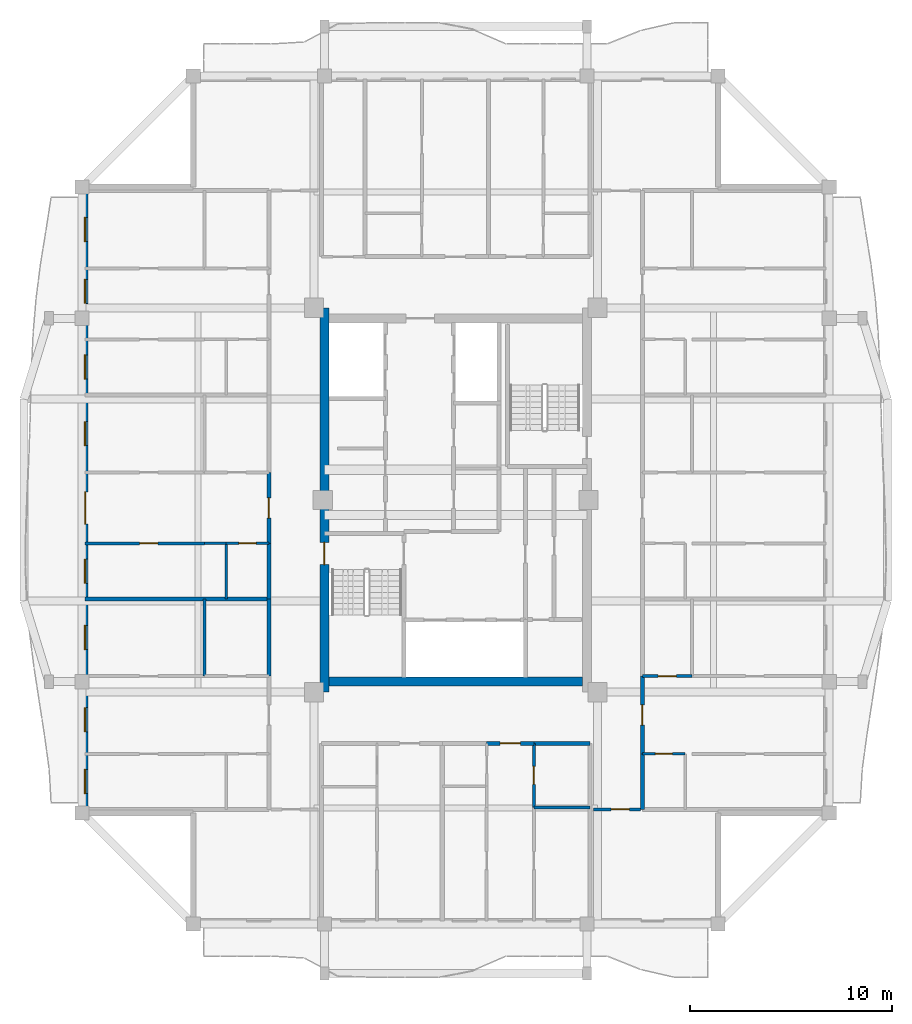
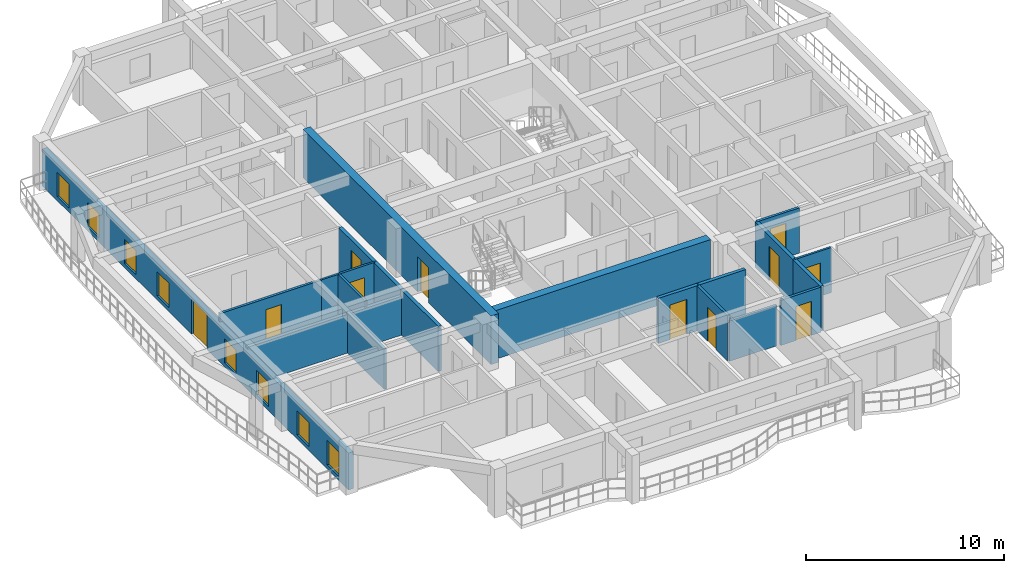
# One storey, part 3 of 14: 21 walls, 11 doors, 8 windows, 19 openings.
"""IFC4 building model written with IfcOpenShell, lengths in metres."""

from ifc_helpers import new_model, si_unit, direction, frame, frame_2d, origin, place, context, subcontext, project, spatial, rectangle, extrude, source, transform, mapped, material, layer, layer_set, type_object, element, fill, save


model = new_model("IFC4")

# Units and contexts
model_context = context("Model", 3, precision=1e-05, world=origin(), true_north=direction((0.0, 1.0)))
body_context = subcontext(model_context, "Body", "Model", "MODEL_VIEW")
ifc_project = project(units=[si_unit("LENGTHUNIT", "METRE"), si_unit("AREAUNIT", "SQUARE_METRE"), si_unit("VOLUMEUNIT", "CUBIC_METRE"), si_unit("PLANEANGLEUNIT", "RADIAN"), si_unit("MASSUNIT", "GRAM", prefix="KILO")], contexts=[model_context])

# Site, building, storey
site_placement = place(None, origin())
site = spatial("IfcSite", under=ifc_project, at=site_placement, CompositionType="ELEMENT")
building_placement = place(site_placement, origin())
building = spatial("IfcBuilding", under=site, at=building_placement, Name="Saelheon Loggia Tower", CompositionType="ELEMENT")
storey_placement = place(building_placement, frame((0.0, 0.0, 210.300048828125)))
storey = spatial("IfcBuildingStorey", under=building, at=storey_placement, Name="L65", CompositionType="ELEMENT", Elevation=210.300048828125)

# Wall, opening, door
ifc_material_1 = material(Name="Concrete C45/55", Category="concrete")
ifc_layer_1 = layer(ifc_material_1, 0.449951171875)
ifc_layer_set_1 = layer_set([ifc_layer_1], Name="Concrete C45/55")
wall_type_1 = type_object("IfcWallType", Name="Wall_CoreShear_450", PredefinedType="SHEAR", material=ifc_layer_set_1)
wall_1_placement = place(storey_placement, frame((31.5, 17.47998046875, 0.0), z_axis=(0.0, 0.0, 1.0), x_axis=(0.0, 1.0, 0.0)))
wall_1 = element("IfcWall", 1, at=wall_1_placement, inside=storey, type_object=wall_type_1, Name="L65 Core Shear Wall West", PredefinedType="SHEAR", context=body_context, shape_type="SweptSolid", body=[
    extrude(rectangle(XDim=19.0400390625, YDim=0.449951171875, at=frame_2d((9.52001953125, 0.0))), origin(), (0.0, 0.0, 1.0), 3.0),
])
opening_1_placement = place(wall_1_placement, frame((6.320068359375, 0.0, 0.0)))
opening_1 = element("IfcOpeningElement", 2, at=opening_1_placement, cuts=wall_1, Name="Opening D-FD2", PredefinedType="OPENING", context=body_context, shape_type="SweptSolid", body=[
    extrude(rectangle(XDim=1.10009765625, YDim=2.14990234375, at=frame_2d((0.550048828125, 1.074951171875))), frame((0.0, 0.237060546875, 0.0), z_axis=(0.0, -1.0, 0.0), x_axis=(1.0, 0.0, 0.0)), (0.0, 0.0, 1.0), 0.473876953125),
])
ifc_material_2 = material(Name="Galvanised Steel Fire Door", Category="steel")
door_type_1 = type_object("IfcDoorType", Name="Door_Fire_FD60_1100", OperationType="NOTDEFINED", PredefinedType="DOOR", material=ifc_material_2)
shared_shape_1 = source(origin(), body_context, "Body", "SweptSolid", [
    extrude(rectangle(XDim=1.10009765625, YDim=2.14990234375, at=frame_2d((0.550048828125, 1.074951171875))), frame((0.0, 0.02490234375, 0.0), z_axis=(0.0, -1.0, 0.0), x_axis=(1.0, 0.0, 0.0)), (0.0, 0.0, 1.0), 0.050048828125),
])
door_1_placement = place(opening_1_placement, origin())
door_1 = element("IfcDoor", 3, at=door_1_placement, inside=storey, type_object=door_type_1, Name="L65 Stair ST1 Corridor Door", OperationType="SINGLE_SWING_LEFT", OverallHeight=2.14990234375, OverallWidth=1.10009765625, PredefinedType="DOOR", context=body_context, shape_type="MappedRepresentation", body=[
    mapped(shared_shape_1, transform((0.0, 0.0, 0.0), scale=1.0)),
])
fill(opening_1, door_1)

# Wall
wall_2_placement = place(storey_placement, frame((31.72509765625, 18.0, 0.0), z_axis=(0.0, 0.0, 1.0), x_axis=(1.0, 0.0, 0.0)))
element("IfcWall", 4, at=wall_2_placement, inside=storey, type_object=wall_type_1, Name="L65 Core Shear Wall South", PredefinedType="SHEAR", context=body_context, shape_type="SweptSolid", body=[
    extrude(rectangle(XDim=12.5498046875, YDim=0.449951171875, at=frame_2d((6.27490234375, 0.0))), origin(), (0.0, 0.0, 1.0), 3.0),
])

# Wall, openings, windows, door
ifc_material_3 = material(Name="Architectural Precast Concrete C40/50", Category="concrete")
ifc_layer_2 = layer(ifc_material_3, 0.280029296875)
ifc_layer_set_2 = layer_set([ifc_layer_2], Name="Architectural Precast Concrete C40/50")
wall_type_2 = type_object("IfcWallType", Name="Wall_Ext_Loggia_280", PredefinedType="SOLIDWALL", material=ifc_layer_set_2)
wall_3_placement = place(storey_placement, frame((19.639892578125, 11.5, 0.0), z_axis=(0.0, 0.0, 1.0), x_axis=(0.0, 1.0, 0.0)))
wall_3 = element("IfcWall", 5, at=wall_3_placement, inside=storey, type_object=wall_type_2, Name="L65 West Loggia Inner Wall", PredefinedType="SOLIDWALL", context=body_context, shape_type="SweptSolid", body=[
    extrude(rectangle(XDim=31.0, YDim=0.280029296875, at=frame_2d((15.5, 0.0))), origin(), (0.0, 0.0, 1.0), 2.280029296875),
])
opening_2_placement = place(wall_3_placement, frame((0.9599609375, 0.0, 0.25)))
opening_2 = element("IfcOpeningElement", 6, at=opening_2_placement, cuts=wall_3, Name="Opening WN-03", PredefinedType="OPENING", context=body_context, shape_type="SweptSolid", body=[
    extrude(rectangle(XDim=1.199951171875, YDim=1.5, at=frame_2d((0.60009765625, 0.75))), frame((0.0, 0.152099609375, 0.0), z_axis=(0.0, -1.0, 0.0), x_axis=(1.0, 0.0, 0.0)), (0.0, 0.0, 1.0), 0.303955078125),
])
opening_3_placement = place(wall_3_placement, frame((4.02001953125, 0.0, 0.25)))
opening_3 = element("IfcOpeningElement", 7, at=opening_3_placement, cuts=wall_3, Name="Opening WN-03", PredefinedType="OPENING", context=body_context, shape_type="SweptSolid", body=[
    extrude(rectangle(XDim=1.199951171875, YDim=1.5, at=frame_2d((0.60009765625, 0.75))), frame((0.0, 0.152099609375, 0.0), z_axis=(0.0, -1.0, 0.0), x_axis=(1.0, 0.0, 0.0)), (0.0, 0.0, 1.0), 0.303955078125),
])
opening_4_placement = place(wall_3_placement, frame((8.0888671875, 0.0, 0.25)))
opening_4 = element("IfcOpeningElement", 8, at=opening_4_placement, cuts=wall_3, Name="Opening WN-03", PredefinedType="OPENING", context=body_context, shape_type="SweptSolid", body=[
    extrude(rectangle(XDim=1.199951171875, YDim=1.5, at=frame_2d((0.60009765625, 0.75))), frame((0.0, 0.152099609375, 0.0), z_axis=(0.0, -1.0, 0.0), x_axis=(1.0, 0.0, 0.0)), (0.0, 0.0, 1.0), 0.303955078125),
])
opening_5_placement = place(wall_3_placement, frame((11.37255859375, 0.0, 0.25)))
opening_5 = element("IfcOpeningElement", 9, at=opening_5_placement, cuts=wall_3, Name="Opening WN-03", PredefinedType="OPENING", context=body_context, shape_type="SweptSolid", body=[
    extrude(rectangle(XDim=1.199951171875, YDim=1.5, at=frame_2d((0.60009765625, 0.75))), frame((0.0, 0.152099609375, 0.0), z_axis=(0.0, -1.0, 0.0), x_axis=(1.0, 0.0, 0.0)), (0.0, 0.0, 1.0), 0.303955078125),
])
opening_6_placement = place(wall_3_placement, frame((14.306884765625, 0.0, 0.0)))
opening_6 = element("IfcOpeningElement", 10, at=opening_6_placement, cuts=wall_3, Name="Opening DLG-1", PredefinedType="OPENING", context=body_context, shape_type="SweptSolid", body=[
    extrude(rectangle(XDim=1.60009765625, YDim=2.14990234375, at=frame_2d((0.800048828125, 1.074951171875))), frame((0.0, 0.152099609375, 0.0), z_axis=(0.0, -1.0, 0.0), x_axis=(1.0, 0.0, 0.0)), (0.0, 0.0, 1.0), 0.303955078125),
])
opening_7_placement = place(wall_3_placement, frame((18.1875, 0.0, 0.25)))
opening_7 = element("IfcOpeningElement", 11, at=opening_7_placement, cuts=wall_3, Name="Opening WN-03", PredefinedType="OPENING", context=body_context, shape_type="SweptSolid", body=[
    extrude(rectangle(XDim=1.199951171875, YDim=1.5, at=frame_2d((0.60009765625, 0.75))), frame((0.0, 0.152099609375, 0.0), z_axis=(0.0, -1.0, 0.0), x_axis=(1.0, 0.0, 0.0)), (0.0, 0.0, 1.0), 0.303955078125),
])
opening_8_placement = place(wall_3_placement, frame((21.48388671875, 0.0, 0.25)))
opening_8 = element("IfcOpeningElement", 12, at=opening_8_placement, cuts=wall_3, Name="Opening WN-03", PredefinedType="OPENING", context=body_context, shape_type="SweptSolid", body=[
    extrude(rectangle(XDim=1.199951171875, YDim=1.5, at=frame_2d((0.60009765625, 0.75))), frame((0.0, 0.152099609375, 0.0), z_axis=(0.0, -1.0, 0.0), x_axis=(1.0, 0.0, 0.0)), (0.0, 0.0, 1.0), 0.303955078125),
])
opening_9_placement = place(wall_3_placement, frame((25.23388671875, 0.0, 0.25)))
opening_9 = element("IfcOpeningElement", 13, at=opening_9_placement, cuts=wall_3, Name="Opening WN-03", PredefinedType="OPENING", context=body_context, shape_type="SweptSolid", body=[
    extrude(rectangle(XDim=1.199951171875, YDim=1.5, at=frame_2d((0.60009765625, 0.75))), frame((0.0, 0.152099609375, 0.0), z_axis=(0.0, -1.0, 0.0), x_axis=(1.0, 0.0, 0.0)), (0.0, 0.0, 1.0), 0.303955078125),
])
opening_10_placement = place(wall_3_placement, frame((28.293701171875, 0.0, 0.25)))
opening_10 = element("IfcOpeningElement", 14, at=opening_10_placement, cuts=wall_3, Name="Opening WN-03", PredefinedType="OPENING", context=body_context, shape_type="SweptSolid", body=[
    extrude(rectangle(XDim=1.199951171875, YDim=1.5, at=frame_2d((0.60009765625, 0.75))), frame((0.0, 0.152099609375, 0.0), z_axis=(0.0, -1.0, 0.0), x_axis=(1.0, 0.0, 0.0)), (0.0, 0.0, 1.0), 0.303955078125),
])
ifc_material_4 = material(Name="Thermal-Break Aluminium and Triple Low-E Glass", Category="aluminium")
window_type = type_object("IfcWindowType", Name="Win_Bedroom_1200x1500", PartitioningType="SINGLE_PANEL", PredefinedType="WINDOW", material=ifc_material_4)
shared_shape_2 = source(origin(), body_context, "Body", "SweptSolid", [
    extrude(rectangle(XDim=1.199951171875, YDim=1.5, at=frame_2d((0.60009765625, 0.75))), frame((0.0, 0.030029296875, 0.0), z_axis=(0.0, -1.0, 0.0), x_axis=(1.0, 0.0, 0.0)), (0.0, 0.0, 1.0), 0.06005859375),
])
window_1_placement = place(opening_2_placement, origin())
window_1 = element("IfcWindow", 15, at=window_1_placement, inside=storey, type_object=window_type, Name="L65 W Dwelling Window 1", OverallHeight=1.5, OverallWidth=1.199951171875, PartitioningType="SINGLE_PANEL", PredefinedType="WINDOW", context=body_context, shape_type="MappedRepresentation", body=[
    mapped(shared_shape_2, transform((0.0, 0.0, 0.0), scale=1.0)),
])
fill(opening_2, window_1)
window_2_placement = place(opening_3_placement, origin())
window_2 = element("IfcWindow", 16, at=window_2_placement, inside=storey, type_object=window_type, Name="L65 W Dwelling Window 2", OverallHeight=1.5, OverallWidth=1.199951171875, PartitioningType="SINGLE_PANEL", PredefinedType="WINDOW", context=body_context, shape_type="MappedRepresentation", body=[
    mapped(shared_shape_2, transform((0.0, 0.0, 0.0), scale=1.0)),
])
fill(opening_3, window_2)
window_3_placement = place(opening_4_placement, origin())
window_3 = element("IfcWindow", 17, at=window_3_placement, inside=storey, type_object=window_type, Name="L65 W Dwelling Window 3", OverallHeight=1.5, OverallWidth=1.199951171875, PartitioningType="SINGLE_PANEL", PredefinedType="WINDOW", context=body_context, shape_type="MappedRepresentation", body=[
    mapped(shared_shape_2, transform((0.0, 0.0, 0.0), scale=1.0)),
])
fill(opening_4, window_3)
window_4_placement = place(opening_5_placement, origin())
window_4 = element("IfcWindow", 18, at=window_4_placement, inside=storey, type_object=window_type, Name="L65 W Dwelling Window 4", OverallHeight=1.5, OverallWidth=1.199951171875, PartitioningType="SINGLE_PANEL", PredefinedType="WINDOW", context=body_context, shape_type="MappedRepresentation", body=[
    mapped(shared_shape_2, transform((0.0, 0.0, 0.0), scale=1.0)),
])
fill(opening_5, window_4)
window_5_placement = place(opening_7_placement, origin())
window_5 = element("IfcWindow", 19, at=window_5_placement, inside=storey, type_object=window_type, Name="L65 W Dwelling Window 6", OverallHeight=1.5, OverallWidth=1.199951171875, PartitioningType="SINGLE_PANEL", PredefinedType="WINDOW", context=body_context, shape_type="MappedRepresentation", body=[
    mapped(shared_shape_2, transform((0.0, 0.0, 0.0), scale=1.0)),
])
fill(opening_7, window_5)
window_6_placement = place(opening_8_placement, origin())
window_6 = element("IfcWindow", 20, at=window_6_placement, inside=storey, type_object=window_type, Name="L65 W Dwelling Window 7", OverallHeight=1.5, OverallWidth=1.199951171875, PartitioningType="SINGLE_PANEL", PredefinedType="WINDOW", context=body_context, shape_type="MappedRepresentation", body=[
    mapped(shared_shape_2, transform((0.0, 0.0, 0.0), scale=1.0)),
])
fill(opening_8, window_6)
window_7_placement = place(opening_9_placement, origin())
window_7 = element("IfcWindow", 21, at=window_7_placement, inside=storey, type_object=window_type, Name="L65 W Dwelling Window 8", OverallHeight=1.5, OverallWidth=1.199951171875, PartitioningType="SINGLE_PANEL", PredefinedType="WINDOW", context=body_context, shape_type="MappedRepresentation", body=[
    mapped(shared_shape_2, transform((0.0, 0.0, 0.0), scale=1.0)),
])
fill(opening_9, window_7)
window_8_placement = place(opening_10_placement, origin())
window_8 = element("IfcWindow", 22, at=window_8_placement, inside=storey, type_object=window_type, Name="L65 W Dwelling Window 9", OverallHeight=1.5, OverallWidth=1.199951171875, PartitioningType="SINGLE_PANEL", PredefinedType="WINDOW", context=body_context, shape_type="MappedRepresentation", body=[
    mapped(shared_shape_2, transform((0.0, 0.0, 0.0), scale=1.0)),
])
fill(opening_10, window_8)
ifc_material_5 = material(Name="Thermal-Break Aluminium Sliding Glazed Door", Category="aluminium")
door_type_2 = type_object("IfcDoorType", Name="Door_LoggiaSlide_1600", OperationType="SLIDING_TO_LEFT", PredefinedType="DOOR", material=ifc_material_5)
shared_shape_3 = source(origin(), body_context, "Body", "SweptSolid", [
    extrude(rectangle(XDim=1.60009765625, YDim=2.14990234375, at=frame_2d((0.800048828125, 1.074951171875))), frame((0.0, 0.02490234375, 0.0), z_axis=(0.0, -1.0, 0.0), x_axis=(1.0, 0.0, 0.0)), (0.0, 0.0, 1.0), 0.050048828125),
])
door_2_placement = place(opening_6_placement, origin())
door_2 = element("IfcDoor", 23, at=door_2_placement, inside=storey, type_object=door_type_2, Name="L65 W Loggia Access Door", OperationType="SLIDING_TO_LEFT", OverallHeight=2.14990234375, OverallWidth=1.60009765625, PredefinedType="DOOR", context=body_context, shape_type="MappedRepresentation", body=[
    mapped(shared_shape_3, transform((0.0, 0.0, 0.0), scale=1.0)),
])
fill(opening_6, door_2)

# Wall, opening, door
ifc_material_6 = material(Name="Lightweight Autoclaved Aerated Concrete Block and Acoustic Gypsum", Category="concrete")
ifc_layer_3 = layer(ifc_material_6, 0.14990234375)
ifc_layer_set_3 = layer_set([ifc_layer_3], Name="Lightweight Autoclaved Aerated Concrete Block and Acoustic Gypsum")
wall_type_3 = type_object("IfcWallType", Name="Wall_Part_150", PredefinedType="PARTITIONING", material=ifc_layer_set_3)
wall_4_placement = place(storey_placement, frame((44.820068359375, 11.679931640625, 0.0), z_axis=(0.0, 0.0, 1.0), x_axis=(1.0, 0.0, 0.0)))
wall_4 = element("IfcWall", 24, at=wall_4_placement, inside=storey, type_object=wall_type_3, Name="PW-L65-CSE-H", PredefinedType="PARTITIONING", context=body_context, shape_type="SweptSolid", body=[
    extrude(rectangle(XDim=2.329833984375, YDim=0.14990234375, at=frame_2d((1.1650390625, 0.0))), origin(), (0.0, 0.0, 1.0), 2.7900390625),
])
opening_11_placement = place(wall_4_placement, frame((0.8798828125, 0.0, 0.0)))
opening_11 = element("IfcOpeningElement", 25, at=opening_11_placement, cuts=wall_4, Name="Opening D-IN2", PredefinedType="OPENING", context=body_context, shape_type="SweptSolid", body=[
    extrude(rectangle(XDim=0.89990234375, YDim=2.10009765625, at=frame_2d((0.449951171875, 1.050048828125))), frame((0.0, 0.0869140625, 0.0), z_axis=(0.0, -1.0, 0.0), x_axis=(1.0, 0.0, 0.0)), (0.0, 0.0, 1.0), 0.173828125),
])
ifc_material_7 = material(Name="Engineered Oak Flush Door", Category="timber")
door_type_3 = type_object("IfcDoorType", Name="Door_Int_900", OperationType="NOTDEFINED", PredefinedType="DOOR", material=ifc_material_7)
shared_shape_4 = source(origin(), body_context, "Body", "SweptSolid", [
    extrude(rectangle(XDim=0.89990234375, YDim=2.10009765625, at=frame_2d((0.449951171875, 1.050048828125))), frame((0.0, 0.02490234375, 0.0), z_axis=(0.0, -1.0, 0.0), x_axis=(1.0, 0.0, 0.0)), (0.0, 0.0, 1.0), 0.050048828125),
])
door_3_placement = place(opening_11_placement, origin())
door_3 = element("IfcDoor", 26, at=door_3_placement, inside=storey, type_object=door_type_3, Name="L65 Corner Reading Room SE Door", OperationType="SINGLE_SWING_RIGHT", OverallHeight=2.10009765625, OverallWidth=0.89990234375, PredefinedType="DOOR", context=body_context, shape_type="MappedRepresentation", body=[
    mapped(shared_shape_4, transform((0.0, 0.0, 0.0), scale=1.0)),
])
fill(opening_11, door_3)

# Wall
wall_5_placement = place(storey_placement, frame((41.870361328125, 11.77001953125, 0.0), z_axis=(0.0, 0.0, 1.0), x_axis=(1.0, 0.0, 0.0)))
element("IfcWall", 27, at=wall_5_placement, inside=storey, type_object=wall_type_3, Name="L65 S Partition V14", PredefinedType="PARTITIONING", context=body_context, shape_type="SweptSolid", body=[
    extrude(rectangle(XDim=2.779541015625, YDim=0.14990234375, at=frame_2d((1.3896484375, 0.0))), origin(), (0.0, 0.0, 1.0), 2.489990234375),
])

# Wall, opening, door
wall_6_placement = place(storey_placement, frame((41.870361328125, 14.949951171875, 0.0), z_axis=(0.0, 0.0, 1.0), x_axis=(0.0, -1.0, 0.0)))
wall_6 = element("IfcWall", 28, at=wall_6_placement, inside=storey, type_object=wall_type_3, Name="L65 S Partition U18", PredefinedType="PARTITIONING", context=body_context, shape_type="SweptSolid", body=[
    extrude(rectangle(XDim=3.179931640625, YDim=0.14990234375, at=frame_2d((1.58984375, 0.0))), origin(), (0.0, 0.0, 1.0), 2.7900390625),
])
opening_12_placement = place(wall_6_placement, frame((1.139892578125, 0.0, 0.0)))
opening_12 = element("IfcOpeningElement", 29, at=opening_12_placement, cuts=wall_6, Name="Opening D-IN2", PredefinedType="OPENING", context=body_context, shape_type="SweptSolid", body=[
    extrude(rectangle(XDim=0.89990234375, YDim=2.10009765625, at=frame_2d((0.449951171875, 1.050048828125))), frame((0.0, 0.0869140625, 0.0), z_axis=(0.0, -1.0, 0.0), x_axis=(1.0, 0.0, 0.0)), (0.0, 0.0, 1.0), 0.173828125),
])
door_4_placement = place(opening_12_placement, origin())
door_4 = element("IfcDoor", 30, at=door_4_placement, inside=storey, type_object=door_type_3, Name="Unit U02 Dressing Closet Door", OperationType="SINGLE_SWING_RIGHT", OverallHeight=2.10009765625, OverallWidth=0.89990234375, PredefinedType="DOOR", context=body_context, shape_type="MappedRepresentation", body=[
    mapped(shared_shape_4, transform((0.0, 0.0, 0.0), scale=1.0)),
])
fill(opening_12, door_4)

# Wall
wall_7_placement = place(storey_placement, frame((25.570068359375, 18.280029296875, 0.0), z_axis=(0.0, 0.0, 1.0), x_axis=(0.0, 1.0, 0.0)))
element("IfcWall", 31, at=wall_7_placement, inside=storey, type_object=wall_type_3, Name="L65 W Partition V07", PredefinedType="PARTITIONING", context=body_context, shape_type="SweptSolid", body=[
    extrude(rectangle(XDim=3.817626953125, YDim=0.14990234375, at=frame_2d((1.90869140625, 0.0))), origin(), (0.0, 0.0, 1.0), 2.489990234375),
])

# Wall, opening, door
wall_8_placement = place(storey_placement, frame((25.570068359375, 24.84765625, 0.0), z_axis=(0.0, 0.0, 1.0), x_axis=(-1.0, 0.0, 0.0)))
wall_8 = element("IfcWall", 32, at=wall_8_placement, inside=storey, type_object=wall_type_3, Name="L65 W Partition U21", PredefinedType="PARTITIONING", context=body_context, shape_type="SweptSolid", body=[
    extrude(rectangle(XDim=5.920166015625, YDim=0.14990234375, at=frame_2d((2.9599609375, 0.0))), origin(), (0.0, 0.0, 1.0), 2.7900390625),
])
opening_13_placement = place(wall_8_placement, frame((2.32080078125, 0.0, 0.0)))
opening_13 = element("IfcOpeningElement", 33, at=opening_13_placement, cuts=wall_8, Name="Opening D-IN2", PredefinedType="OPENING", context=body_context, shape_type="SweptSolid", body=[
    extrude(rectangle(XDim=0.89990234375, YDim=2.10009765625, at=frame_2d((0.449951171875, 1.050048828125))), frame((0.0, 0.0869140625, 0.0), z_axis=(0.0, -1.0, 0.0), x_axis=(1.0, 0.0, 0.0)), (0.0, 0.0, 1.0), 0.173828125),
])
door_5_placement = place(opening_13_placement, origin())
door_5 = element("IfcDoor", 34, at=door_5_placement, inside=storey, type_object=door_type_3, Name="Unit U06 Kitchen Door", OperationType="SINGLE_SWING_RIGHT", OverallHeight=2.10009765625, OverallWidth=0.89990234375, PredefinedType="DOOR", context=body_context, shape_type="MappedRepresentation", body=[
    mapped(shared_shape_4, transform((0.0, 0.0, 0.0), scale=1.0)),
])
fill(opening_13, door_5)

wall_9_placement = place(storey_placement, frame((47.25, 18.280029296875, 0.0), z_axis=(0.0, 0.0, 1.0), x_axis=(1.0, 0.0, 0.0)))
wall_9 = element("IfcWall", 35, at=wall_9_placement, inside=storey, type_object=wall_type_3, Name="L65 E Partition U10", PredefinedType="PARTITIONING", context=body_context, shape_type="SweptSolid", body=[
    extrude(rectangle(XDim=2.4599609375, YDim=0.14990234375, at=frame_2d((1.22998046875, 0.0))), origin(), (0.0, 0.0, 1.0), 2.7900390625),
])
opening_14_placement = place(wall_9_placement, frame((0.780029296875, 0.0, 0.0)))
opening_14 = element("IfcOpeningElement", 36, at=opening_14_placement, cuts=wall_9, Name="Opening D-IN2", PredefinedType="OPENING", context=body_context, shape_type="SweptSolid", body=[
    extrude(rectangle(XDim=0.89990234375, YDim=2.10009765625, at=frame_2d((0.449951171875, 1.050048828125))), frame((0.0, 0.0869140625, 0.0), z_axis=(0.0, -1.0, 0.0), x_axis=(1.0, 0.0, 0.0)), (0.0, 0.0, 1.0), 0.173828125),
])
door_6_placement = place(opening_14_placement, origin())
door_6 = element("IfcDoor", 37, at=door_6_placement, inside=storey, type_object=door_type_3, Name="Unit U08 Dressing Closet Door", OperationType="SINGLE_SWING_LEFT", OverallHeight=2.10009765625, OverallWidth=0.89990234375, PredefinedType="DOOR", context=body_context, shape_type="MappedRepresentation", body=[
    mapped(shared_shape_4, transform((0.0, 0.0, 0.0), scale=1.0)),
])
fill(opening_14, door_6)

ifc_material_8 = material(Name="Double Acoustic Stud and Fireboard Partition", Category="gypsum")
ifc_layer_4 = layer(ifc_material_8, 0.199951171875)
ifc_layer_set_4 = layer_set([ifc_layer_4], Name="Double Acoustic Stud and Fireboard Partition")
wall_type_4 = type_object("IfcWallType", Name="Wall_Party_200", PredefinedType="PARTITIONING", material=ifc_layer_set_4)
wall_10_placement = place(storey_placement, frame((39.534912109375, 14.949951171875, 0.0), z_axis=(0.0, 0.0, 1.0), x_axis=(1.0, 0.0, 0.0)))
wall_10 = element("IfcWall", 38, at=wall_10_placement, inside=storey, type_object=wall_type_4, Name="L65 S Partition V11", PredefinedType="PARTITIONING", context=body_context, shape_type="SweptSolid", body=[
    extrude(rectangle(XDim=2.33544921875, YDim=0.199951171875, at=frame_2d((1.167724609375, 0.0))), origin(), (0.0, 0.0, 1.0), 2.7900390625),
])
opening_15_placement = place(wall_10_placement, frame((0.667724609375, 0.0, 0.0)))
opening_15 = element("IfcOpeningElement", 39, at=opening_15_placement, cuts=wall_10, Name="Opening D-FD1", PredefinedType="OPENING", context=body_context, shape_type="SweptSolid", body=[
    extrude(rectangle(XDim=1.0, YDim=2.14990234375, at=frame_2d((0.5, 1.074951171875))), frame((0.0, 0.112060546875, 0.0), z_axis=(0.0, -1.0, 0.0), x_axis=(1.0, 0.0, 0.0)), (0.0, 0.0, 1.0), 0.223876953125),
])
ifc_material_9 = material(Name="Fire-Rated Engineered Timber Entrance Door", Category="wood")
door_type_4 = type_object("IfcDoorType", Name="Door_Flat_FD30S", OperationType="NOTDEFINED", PredefinedType="DOOR", material=ifc_material_9)
shared_shape_5 = source(origin(), body_context, "Body", "SweptSolid", [
    extrude(rectangle(XDim=1.0, YDim=2.14990234375, at=frame_2d((0.5, 1.074951171875))), frame((0.0, 0.02490234375, 0.0), z_axis=(0.0, -1.0, 0.0), x_axis=(1.0, 0.0, 0.0)), (0.0, 0.0, 1.0), 0.050048828125),
])
door_7_placement = place(opening_15_placement, origin())
door_7 = element("IfcDoor", 40, at=door_7_placement, inside=storey, type_object=door_type_4, Name="Unit U02 Entrance Door", OperationType="SINGLE_SWING_LEFT", OverallHeight=2.14990234375, OverallWidth=1.0, PredefinedType="DOOR", context=body_context, shape_type="MappedRepresentation", body=[
    mapped(shared_shape_5, transform((0.0, 0.0, 0.0), scale=1.0)),
])
fill(opening_15, door_7)

# Walls
wall_11_placement = place(storey_placement, frame((41.870361328125, 14.949951171875, 0.0), z_axis=(0.0, 0.0, 1.0), x_axis=(1.0, 0.0, 0.0)))
element("IfcWall", 41, at=wall_11_placement, inside=storey, type_object=wall_type_4, Name="L65 S Partition V12", PredefinedType="PARTITIONING", context=body_context, shape_type="SweptSolid", body=[
    extrude(rectangle(XDim=2.779541015625, YDim=0.199951171875, at=frame_2d((1.3896484375, 0.0))), origin(), (0.0, 0.0, 1.0), 2.7900390625),
])
wall_12_placement = place(storey_placement, frame((28.75, 18.280029296875, 0.0), z_axis=(0.0, 0.0, 1.0), x_axis=(0.0, 1.0, 0.0)))
element("IfcWall", 42, at=wall_12_placement, inside=storey, type_object=wall_type_4, Name="L65 W Partition V05", PredefinedType="PARTITIONING", context=body_context, shape_type="SweptSolid", body=[
    extrude(rectangle(XDim=3.817626953125, YDim=0.199951171875, at=frame_2d((1.90869140625, 0.0))), origin(), (0.0, 0.0, 1.0), 2.7900390625),
])
wall_13_placement = place(storey_placement, frame((28.75, 22.09765625, 0.0), z_axis=(0.0, 0.0, 1.0), x_axis=(-1.0, 0.0, 0.0)))
element("IfcWall", 43, at=wall_13_placement, inside=storey, type_object=wall_type_4, Name="L65 W Partition U13", PredefinedType="PARTITIONING", context=body_context, shape_type="SweptSolid", body=[
    extrude(rectangle(XDim=9.10009765625, YDim=0.199951171875, at=frame_2d((4.550048828125, 0.0))), origin(), (0.0, 0.0, 1.0), 2.389892578125),
])
wall_14_placement = place(storey_placement, frame((28.75, 22.09765625, 0.0), z_axis=(0.0, 0.0, 1.0), x_axis=(0.0, 1.0, 0.0)))
element("IfcWall", 44, at=wall_14_placement, inside=storey, type_object=wall_type_4, Name="L65 W Partition V14", PredefinedType="PARTITIONING", context=body_context, shape_type="SweptSolid", body=[
    extrude(rectangle(XDim=2.75, YDim=0.199951171875, at=frame_2d((1.375, 0.0))), origin(), (0.0, 0.0, 1.0), 2.7900390625),
])

# Wall, opening, door
wall_15_placement = place(storey_placement, frame((28.75, 24.84765625, 0.0), z_axis=(0.0, 0.0, 1.0), x_axis=(0.0, 1.0, 0.0)))
wall_15 = element("IfcWall", 45, at=wall_15_placement, inside=storey, type_object=wall_type_4, Name="L65 W Partition V15", PredefinedType="PARTITIONING", context=body_context, shape_type="SweptSolid", body=[
    extrude(rectangle(XDim=3.518798828125, YDim=0.199951171875, at=frame_2d((1.75927734375, 0.0))), origin(), (0.0, 0.0, 1.0), 2.7900390625),
])
opening_16_placement = place(wall_15_placement, frame((1.259521484375, 0.0, 0.0)))
opening_16 = element("IfcOpeningElement", 46, at=opening_16_placement, cuts=wall_15, Name="Opening D-FD1", PredefinedType="OPENING", context=body_context, shape_type="SweptSolid", body=[
    extrude(rectangle(XDim=1.0, YDim=2.14990234375, at=frame_2d((0.5, 1.074951171875))), frame((0.0, 0.112060546875, 0.0), z_axis=(0.0, -1.0, 0.0), x_axis=(1.0, 0.0, 0.0)), (0.0, 0.0, 1.0), 0.223876953125),
])
door_8_placement = place(opening_16_placement, origin())
door_8 = element("IfcDoor", 47, at=door_8_placement, inside=storey, type_object=door_type_4, Name="Unit U06 Entrance Door", OperationType="SINGLE_SWING_RIGHT", OverallHeight=2.14990234375, OverallWidth=1.0, PredefinedType="DOOR", context=body_context, shape_type="MappedRepresentation", body=[
    mapped(shared_shape_5, transform((0.0, 0.0, 0.0), scale=1.0)),
])
fill(opening_16, door_8)

# Wall
wall_16_placement = place(storey_placement, frame((47.25, 11.679931640625, 0.0), z_axis=(0.0, 0.0, 1.0), x_axis=(0.0, 1.0, 0.0)))
element("IfcWall", 48, at=wall_16_placement, inside=storey, type_object=wall_type_4, Name="L65 E Partition V03", PredefinedType="PARTITIONING", context=body_context, shape_type="SweptSolid", body=[
    extrude(rectangle(XDim=2.75, YDim=0.199951171875, at=frame_2d((1.375, 0.0))), origin(), (0.0, 0.0, 1.0), 2.7900390625),
])

# Wall, opening, door
wall_17_placement = place(storey_placement, frame((47.25, 14.429931640625, 0.0), z_axis=(0.0, 0.0, 1.0), x_axis=(0.0, 1.0, 0.0)))
wall_17 = element("IfcWall", 49, at=wall_17_placement, inside=storey, type_object=wall_type_4, Name="L65 E Partition V04", PredefinedType="PARTITIONING", context=body_context, shape_type="SweptSolid", body=[
    extrude(rectangle(XDim=3.85009765625, YDim=0.199951171875, at=frame_2d((1.925048828125, 0.0))), origin(), (0.0, 0.0, 1.0), 2.7900390625),
])
opening_17_placement = place(wall_17_placement, frame((1.425048828125, 0.0, 0.0)))
opening_17 = element("IfcOpeningElement", 50, at=opening_17_placement, cuts=wall_17, Name="Opening D-FD1", PredefinedType="OPENING", context=body_context, shape_type="SweptSolid", body=[
    extrude(rectangle(XDim=1.0, YDim=2.14990234375, at=frame_2d((0.5, 1.074951171875))), frame((0.0, 0.112060546875, 0.0), z_axis=(0.0, -1.0, 0.0), x_axis=(1.0, 0.0, 0.0)), (0.0, 0.0, 1.0), 0.223876953125),
])
door_9_placement = place(opening_17_placement, origin())
door_9 = element("IfcDoor", 51, at=door_9_placement, inside=storey, type_object=door_type_4, Name="Unit U08 Entrance Door", OperationType="SINGLE_SWING_RIGHT", OverallHeight=2.14990234375, OverallWidth=1.0, PredefinedType="DOOR", context=body_context, shape_type="MappedRepresentation", body=[
    mapped(shared_shape_5, transform((0.0, 0.0, 0.0), scale=1.0)),
])
fill(opening_17, door_9)

# Wall
ifc_material_10 = material(Name="Moisture-Resistant Cement Board Partition", Category="gypsum")
ifc_layer_5 = layer(ifc_material_10, 0.1201171875)
ifc_layer_set_5 = layer_set([ifc_layer_5], Name="Moisture-Resistant Cement Board Partition")
wall_type_5 = type_object("IfcWallType", Name="Wall_WetPart_120", PredefinedType="PARTITIONING", material=ifc_layer_set_5)
wall_18_placement = place(storey_placement, frame((26.6298828125, 22.09765625, 0.0), z_axis=(0.0, 0.0, 1.0), x_axis=(0.0, 1.0, 0.0)))
element("IfcWall", 52, at=wall_18_placement, inside=storey, type_object=wall_type_5, Name="L65 W Partition V17", PredefinedType="PARTITIONING", context=body_context, shape_type="SweptSolid", body=[
    extrude(rectangle(XDim=2.75, YDim=0.1201171875, at=frame_2d((1.375, 0.0))), origin(), (0.0, 0.0, 1.0), 2.7900390625),
])

# Wall, opening, door
wall_19_placement = place(storey_placement, frame((28.75, 24.84765625, 0.0), z_axis=(0.0, 0.0, 1.0), x_axis=(-1.0, 0.0, 0.0)))
wall_19 = element("IfcWall", 53, at=wall_19_placement, inside=storey, type_object=wall_type_5, Name="L65 W Partition U19", PredefinedType="PARTITIONING", context=body_context, shape_type="SweptSolid", body=[
    extrude(rectangle(XDim=2.1201171875, YDim=0.1201171875, at=frame_2d((1.06005859375, 0.0))), origin(), (0.0, 0.0, 1.0), 2.7900390625),
])
opening_18_placement = place(wall_19_placement, frame((0.635009765625, 0.0, 0.0)))
opening_18 = element("IfcOpeningElement", 54, at=opening_18_placement, cuts=wall_19, Name="Opening D-BT1", PredefinedType="OPENING", context=body_context, shape_type="SweptSolid", body=[
    extrude(rectangle(XDim=0.85009765625, YDim=2.050048828125, at=frame_2d((0.425048828125, 1.02490234375))), frame((0.0, 0.072021484375, 0.0), z_axis=(0.0, -1.0, 0.0), x_axis=(1.0, 0.0, 0.0)), (0.0, 0.0, 1.0), 0.14404296875),
])
ifc_material_11 = material(Name="Moisture-Resistant Laminate Timber Door", Category="wood")
door_type_5 = type_object("IfcDoorType", Name="Door_Bath_850", OperationType="NOTDEFINED", PredefinedType="DOOR", material=ifc_material_11)
shared_shape_6 = source(origin(), body_context, "Body", "SweptSolid", [
    extrude(rectangle(XDim=0.85009765625, YDim=2.050048828125, at=frame_2d((0.425048828125, 1.02490234375))), frame((0.0, 0.02490234375, 0.0), z_axis=(0.0, -1.0, 0.0), x_axis=(1.0, 0.0, 0.0)), (0.0, 0.0, 1.0), 0.050048828125),
])
door_10_placement = place(opening_18_placement, origin())
door_10 = element("IfcDoor", 55, at=door_10_placement, inside=storey, type_object=door_type_5, Name="Unit U06 Bathroom Door", OperationType="SINGLE_SWING_LEFT", OverallHeight=2.050048828125, OverallWidth=0.85009765625, PredefinedType="DOOR", context=body_context, shape_type="MappedRepresentation", body=[
    mapped(shared_shape_6, transform((0.0, 0.0, 0.0), scale=1.0)),
])
fill(opening_18, door_10)

# Wall
wall_20_placement = place(storey_placement, frame((26.6298828125, 24.84765625, 0.0), z_axis=(0.0, 0.0, 1.0), x_axis=(-1.0, 0.0, 0.0)))
element("IfcWall", 56, at=wall_20_placement, inside=storey, type_object=wall_type_5, Name="L65 W Partition U20", PredefinedType="PARTITIONING", context=body_context, shape_type="SweptSolid", body=[
    extrude(rectangle(XDim=1.059814453125, YDim=0.1201171875, at=frame_2d((0.52978515625, 0.0))), origin(), (0.0, 0.0, 1.0), 2.7900390625),
])

# Wall, opening, door
wall_21_placement = place(storey_placement, frame((47.25, 14.429931640625, 0.0), z_axis=(0.0, 0.0, 1.0), x_axis=(1.0, 0.0, 0.0)))
wall_21 = element("IfcWall", 57, at=wall_21_placement, inside=storey, type_object=wall_type_5, Name="L65 E Partition U08", PredefinedType="PARTITIONING", context=body_context, shape_type="SweptSolid", body=[
    extrude(rectangle(XDim=2.1201171875, YDim=0.1201171875, at=frame_2d((1.06005859375, 0.0))), origin(), (0.0, 0.0, 1.0), 2.7900390625),
])
opening_19_placement = place(wall_21_placement, frame((0.635009765625, 0.0, 0.0)))
opening_19 = element("IfcOpeningElement", 58, at=opening_19_placement, cuts=wall_21, Name="Opening D-BT1", PredefinedType="OPENING", context=body_context, shape_type="SweptSolid", body=[
    extrude(rectangle(XDim=0.85009765625, YDim=2.050048828125, at=frame_2d((0.425048828125, 1.02490234375))), frame((0.0, 0.072021484375, 0.0), z_axis=(0.0, -1.0, 0.0), x_axis=(1.0, 0.0, 0.0)), (0.0, 0.0, 1.0), 0.14404296875),
])
door_11_placement = place(opening_19_placement, origin())
door_11 = element("IfcDoor", 59, at=door_11_placement, inside=storey, type_object=door_type_5, Name="Unit U08 Bathroom Door", OperationType="SINGLE_SWING_LEFT", OverallHeight=2.050048828125, OverallWidth=0.85009765625, PredefinedType="DOOR", context=body_context, shape_type="MappedRepresentation", body=[
    mapped(shared_shape_6, transform((0.0, 0.0, 0.0), scale=1.0)),
])
fill(opening_19, door_11)

save(model, "model.ifc")
